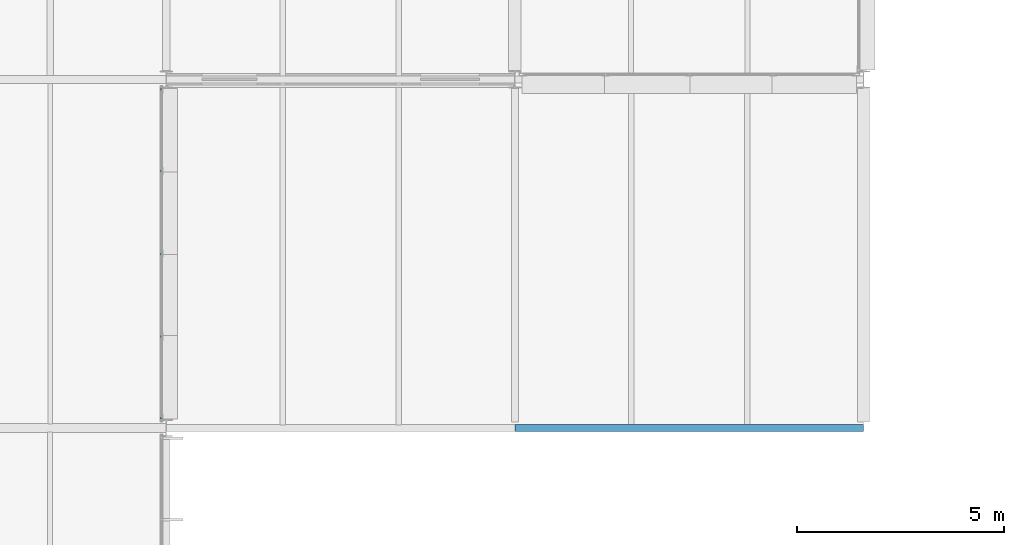
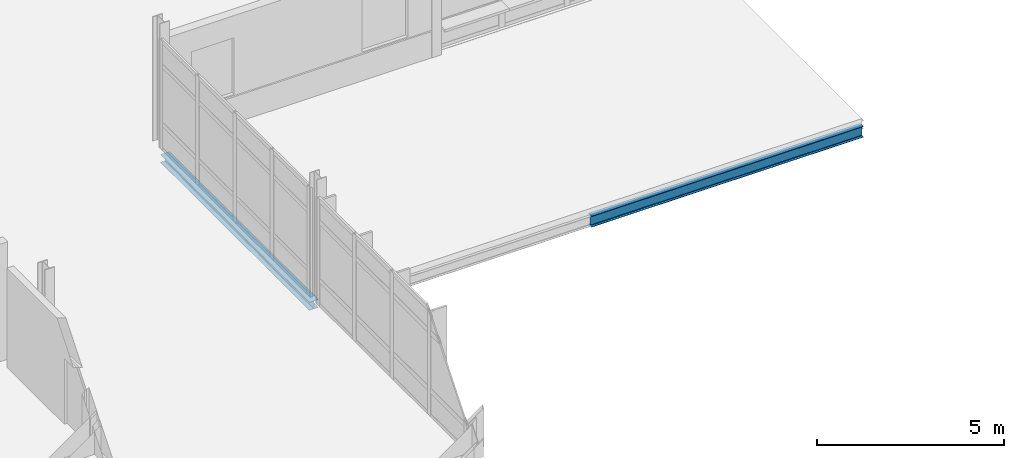
# One storey, part 41 of 151: 2 beams.
"""IFC4 building model written with IfcOpenShell, lengths in metres."""

from ifc_helpers import new_model, si_unit, direction, frame, origin, origin_2d, place, context, subcontext, project, spatial, i_section, extrude, material, material_profile, profile_set, type_object, element, save


model = new_model("IFC4")

# Units and contexts
model_context = context("Model", 3, precision=1e-05, world=origin(), true_north=direction((0.0, 1.0)))
body_context = subcontext(model_context, "Body", "Model", "MODEL_VIEW")
ifc_project = project(units=[si_unit("LENGTHUNIT", "METRE"), si_unit("AREAUNIT", "SQUARE_METRE"), si_unit("VOLUMEUNIT", "CUBIC_METRE"), si_unit("PLANEANGLEUNIT", "RADIAN"), si_unit("MASSUNIT", "GRAM", prefix="KILO")], contexts=[model_context])

# Site, building, storey
site_placement = place(None, origin())
site = spatial("IfcSite", under=ifc_project, at=site_placement, CompositionType="ELEMENT")
building_placement = place(site_placement, origin())
building = spatial("IfcBuilding", under=site, at=building_placement, Name="Mersafa Astral City Hall", CompositionType="ELEMENT")
storey_placement = place(building_placement, frame((0.0, 0.0, 9.89990234375)))
storey = spatial("IfcBuildingStorey", under=building, at=storey_placement, Name="L02", CompositionType="ELEMENT", Elevation=9.89990234375)

# Beams
ifc_material = material(Name="Steel S355", Category="steel")
ifc_material_profile_1 = material_profile(ifc_material, i_section(OverallWidth=0.280029296875, OverallDepth=0.27001953125, WebThickness=0.008056640625, FlangeThickness=0.012939453125, FilletRadius=0.02392578125, at=origin_2d()), Name="HEA 280")
ifc_profile_set_1 = profile_set([ifc_material_profile_1], Name="Steel S355")
beam_type_1 = type_object("IfcBeamType", Name="STR-BM-SPANDREL-HEA280", PredefinedType="SPANDREL", material=ifc_profile_set_1)
beam_1_placement = place(storey_placement, frame((25.199951171875, 84.219970703125, -0.3349609375), z_axis=(0.0, 1.0, 0.0), x_axis=(-1.0, 0.0, 0.0)))
element("IfcBeam", 1, at=beam_1_placement, inside=storey, type_object=beam_type_1, Name="L02 Primary girder Y 3-10", PredefinedType="SPANDREL", context=body_context, shape_type="SweptSolid", body=[
    extrude(i_section(OverallWidth=0.280029296875, OverallDepth=0.27001953125, WebThickness=0.008056640625, FlangeThickness=0.012939453125, FilletRadius=0.02392578125, at=origin_2d()), origin(), (0.0, 0.0, 1.0), 7.9599609375),
])
ifc_material_profile_2 = material_profile(ifc_material, i_section(OverallWidth=0.169921875, OverallDepth=0.360107421875, WebThickness=0.008056640625, FlangeThickness=0.0126953125, FilletRadius=0.01806640625, at=origin_2d()), Name="IPE 360")
ifc_profile_set_2 = profile_set([ifc_material_profile_2], Name="Steel S355")
beam_type_2 = type_object("IfcBeamType", Name="STR-BM-SPANDREL-IPE360", PredefinedType="SPANDREL", material=ifc_profile_set_2)
beam_2_placement = place(storey_placement, frame((33.60302734375, 84.0, -0.3798828125), z_axis=(1.0, 0.0, 0.0), x_axis=(0.0, 1.0, 0.0)))
element("IfcBeam", 2, at=beam_2_placement, inside=storey, type_object=beam_type_2, Name="L02 Primary girder X 4-10", PredefinedType="SPANDREL", context=body_context, shape_type="SweptSolid", body=[
    extrude(i_section(OverallWidth=0.169921875, OverallDepth=0.360107421875, WebThickness=0.008056640625, FlangeThickness=0.0126953125, FilletRadius=0.01806640625, at=origin_2d()), origin(), (0.0, 0.0, 1.0), 8.39404296875),
])

save(model, "model.ifc")
